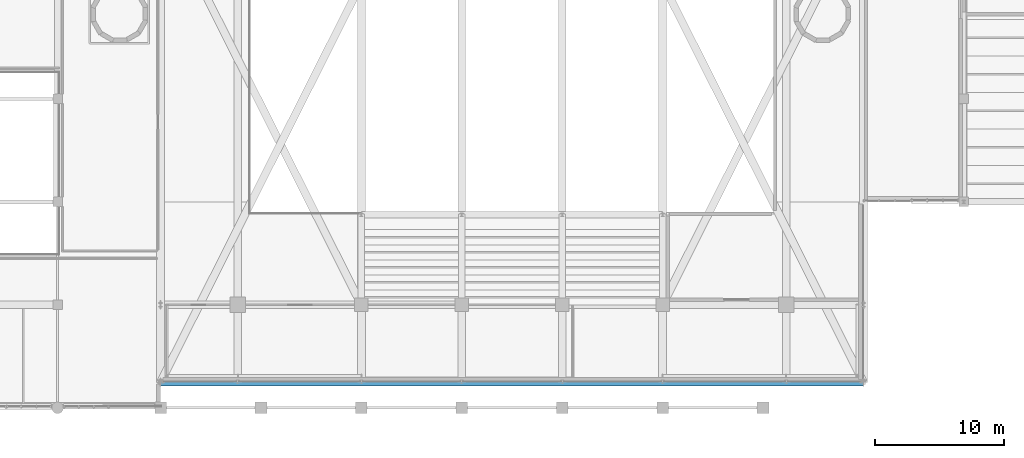
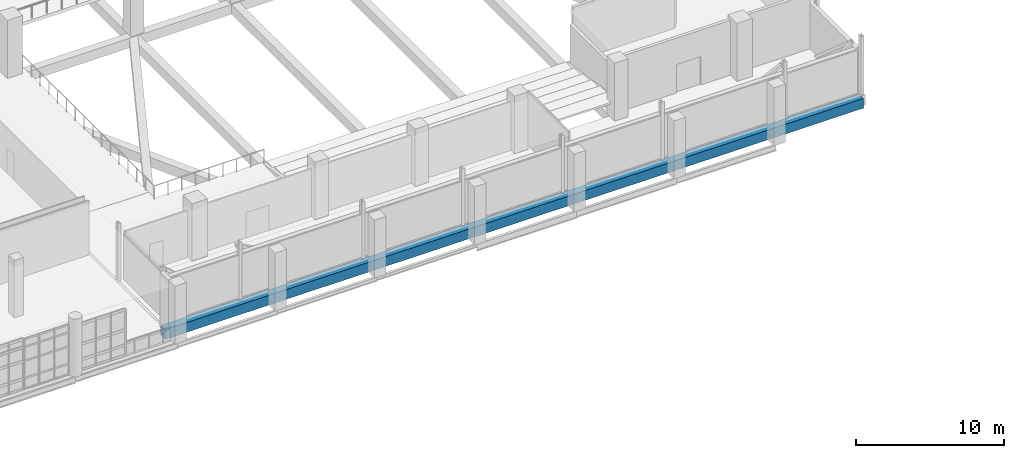
# One storey, part 33 of 100: 1 beam.
"""IFC4 building model written with IfcOpenShell, lengths in metres."""

from ifc_helpers import new_model, si_unit, derived_unit, direction, frame, origin, origin_2d, place, context, subcontext, project, spatial, hollow_rectangle, extrude, material, material_profile, profile_set, type_object, element, save


model = new_model("IFC4")

# Units and contexts
model_context = context("Model", 3, precision=1e-05, world=origin(), true_north=direction((0.0, 1.0)))
body_context = subcontext(model_context, "Body", "Model", "MODEL_VIEW")
ifc_project = project(units=[si_unit("LENGTHUNIT", "METRE"), si_unit("AREAUNIT", "SQUARE_METRE"), si_unit("VOLUMEUNIT", "CUBIC_METRE"), si_unit("PLANEANGLEUNIT", "RADIAN"), si_unit("MASSUNIT", "GRAM", prefix="KILO"), derived_unit("THERMALTRANSMITTANCEUNIT", [(si_unit("POWERUNIT", "WATT"), 1), (si_unit("LENGTHUNIT", "METRE"), -2), (si_unit("THERMODYNAMICTEMPERATUREUNIT", "KELVIN"), -1)])], contexts=[model_context])

# Site, building, storey
site_placement = place(None, origin())
site = spatial("IfcSite", under=ifc_project, at=site_placement, CompositionType="ELEMENT")
building_placement = place(site_placement, origin())
building = spatial("IfcBuilding", under=site, at=building_placement, Name="Nallur Shell Playhouse", CompositionType="ELEMENT")
storey_placement = place(building_placement, frame((0.0, 0.0, 10.199951171875)))
storey = spatial("IfcBuildingStorey", under=building, at=storey_placement, Name="L03", CompositionType="ELEMENT", Elevation=10.199951171875)

# Beam
ifc_material = material(Name="Steel E350", Category="steel")
ifc_material_profile = material_profile(ifc_material, hollow_rectangle(XDim=0.60009765625, YDim=0.800048828125, WallThickness=0.02490234375, at=origin_2d()), Name="BOX 600x800x25")
ifc_profile_set = profile_set([ifc_material_profile], Name="Steel E350")
beam_type = type_object("IfcBeamType", Name="BM-TT-CHORD", PredefinedType="BEAM", material=ifc_profile_set)
beam_placement = place(storey_placement, frame((64.0, 10.0, -0.659912109375), z_axis=(1.0, 0.0, 0.0), x_axis=(0.0, 1.0, 0.0)))
element("IfcBeam", 1, at=beam_placement, inside=storey, type_object=beam_type, Name="Gold box perimeter chord L03-S1", PredefinedType="BEAM", context=body_context, shape_type="SweptSolid", body=[
    extrude(hollow_rectangle(XDim=0.60009765625, YDim=0.800048828125, WallThickness=0.02490234375, at=origin_2d()), origin(), (0.0, 0.0, 1.0), 54.60009765625),
])

save(model, "model.ifc")
